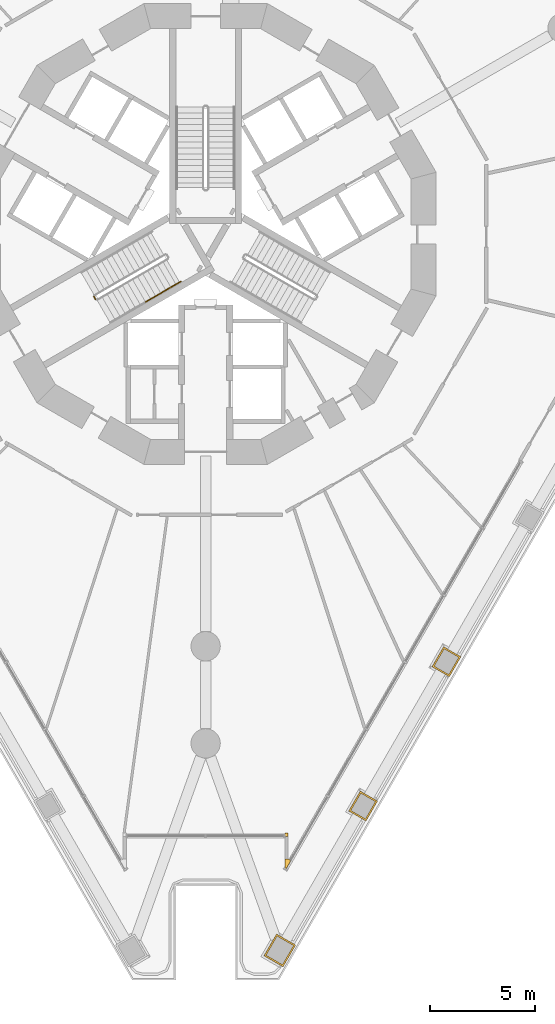
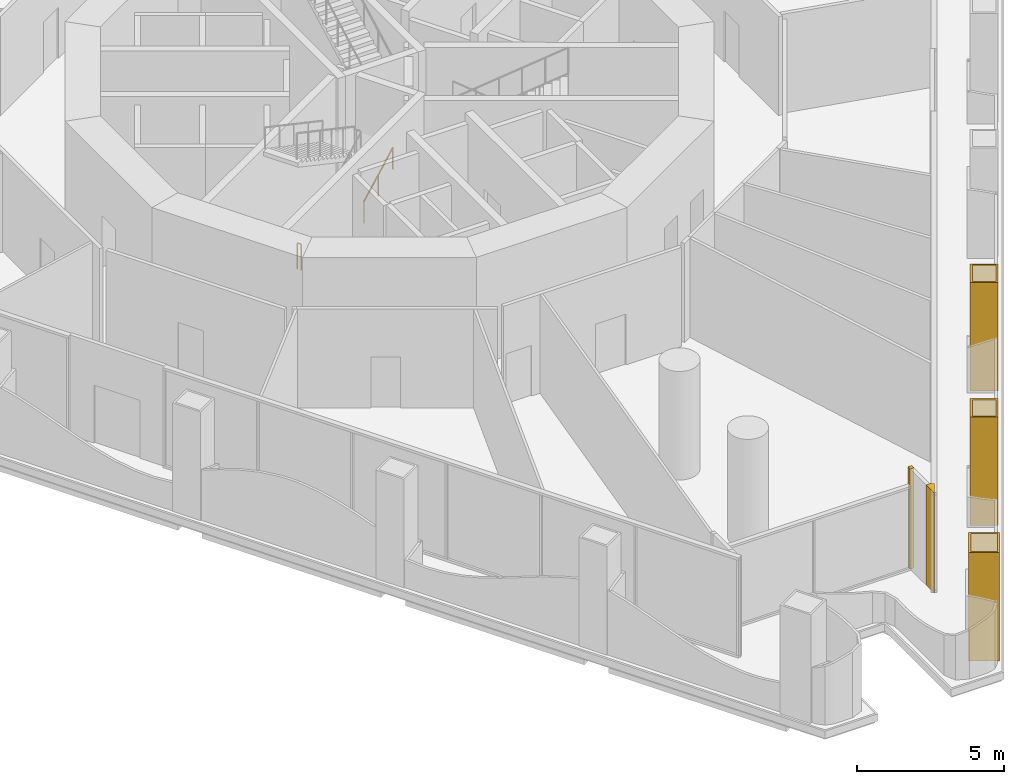
# One storey, part 16 of 21: 5 coverings, 2 railings.
"""IFC4 building model written with IfcOpenShell, lengths in metres."""

from ifc_helpers import new_model, si_unit, direction, frame, origin, origin_2d, place, context, subcontext, project, spatial, polyline, circle, outline, extrude, material, layer, layer_set, type_object, element, save


model = new_model("IFC4")

# Units and contexts
model_context = context("Model", 3, precision=1e-05, world=origin(), true_north=direction((0.0, 1.0)))
body_context = subcontext(model_context, "Body", "Model", "MODEL_VIEW")
ifc_project = project(units=[si_unit("LENGTHUNIT", "METRE"), si_unit("AREAUNIT", "SQUARE_METRE"), si_unit("VOLUMEUNIT", "CUBIC_METRE"), si_unit("PLANEANGLEUNIT", "RADIAN"), si_unit("MASSUNIT", "GRAM", prefix="KILO")], contexts=[model_context])

# Site, building, storey
site_placement = place(None, origin())
site = spatial("IfcSite", under=ifc_project, at=site_placement, CompositionType="ELEMENT")
building_placement = place(site_placement, origin())
building = spatial("IfcBuilding", under=site, at=building_placement, Name="Trine Commons Tower", CompositionType="ELEMENT")
storey_placement = place(building_placement, frame((0.0, 0.0, 9.0)))
storey = spatial("IfcBuildingStorey", under=building, at=storey_placement, Name="L01", CompositionType="ELEMENT", Elevation=9.0)

# Coverings
ifc_material_1 = material(Name="Aluminium-framed insulated wall panel", Category="aluminium")
ifc_layer_1 = layer(ifc_material_1, 0.14990234375)
ifc_layer_set_1 = layer_set([ifc_layer_1], Name="Aluminium-framed insulated wall panel")
covering_type_1 = type_object("IfcCoveringType", Name="Glazing corner post, aluminium", PredefinedType="CLADDING", material=ifc_layer_set_1)
covering_1_placement = place(storey_placement, origin())
element("IfcCovering", 1, at=covering_1_placement, inside=storey, type_object=covering_type_1, Name="Glazing corner post 1-09", PredefinedType="CLADDING", context=body_context, shape_type="SweptSolid", body=[
    extrude(outline(polyline([(83.7900390625, 32.635009765625), (83.7900390625, 32.0751953125), (84.06982421875, 32.56005859375), (83.93994140625, 32.635009765625), (83.93994140625, 32.635009765625), (83.7900390625, 32.635009765625)])), origin(), (0.0, 0.0, 1.0), 4.14990234375),
])
covering_2_placement = place(storey_placement, origin())
element("IfcCovering", 2, at=covering_2_placement, inside=storey, type_object=covering_type_1, Name="Glazing corner post 1-10", PredefinedType="CLADDING", context=body_context, shape_type="SweptSolid", body=[
    extrude(outline(polyline([(83.93994140625, 33.720703125), (83.93994140625, 33.870849609375), (83.7900390625, 33.870849609375), (83.7900390625, 33.720703125), (83.93994140625, 33.720703125)])), origin(), (0.0, 0.0, 1.0), 4.14990234375),
])
ifc_material_2 = material(Name="Limestone, honed", Category="masonry")
ifc_layer_2 = layer(ifc_material_2, 0.074951171875)
ifc_layer_set_2 = layer_set([ifc_layer_2], Name="Limestone, honed")
covering_type_2 = type_object("IfcCoveringType", Name="Limestone column cladding 75", PredefinedType="CLADDING", material=ifc_layer_set_2)
covering_3_placement = place(storey_placement, origin())
element("IfcCovering", 3, at=covering_3_placement, inside=storey, type_object=covering_type_2, Name="Limestone pier cladding 1-22", PredefinedType="CLADDING", context=body_context, shape_type="SweptSolid", body=[
    extrude(outline(polyline([(92.1943359375, 42.3017578125), (91.37158203125, 42.77685546875), (90.821533203125, 41.82421875), (91.644287109375, 41.34912109375), (92.1943359375, 42.3017578125)]), holes=[polyline([(92.091796875, 42.2744140625), (91.39892578125, 42.67431640625), (90.924072265625, 41.8515625), (91.61669921875, 41.45166015625), (92.091796875, 42.2744140625)])]), origin(), (0.0, 0.0, 1.0), 4.5),
])
covering_4_placement = place(storey_placement, origin())
element("IfcCovering", 4, at=covering_4_placement, inside=storey, type_object=covering_type_2, Name="Limestone pier cladding 1-23", PredefinedType="CLADDING", context=body_context, shape_type="SweptSolid", body=[
    extrude(outline(polyline([(88.212646484375, 35.4052734375), (87.389892578125, 35.88037109375), (86.83984375, 34.927734375), (87.66259765625, 34.45263671875), (88.212646484375, 35.4052734375)]), holes=[polyline([(88.110107421875, 35.3779296875), (87.417236328125, 35.77783203125), (86.9423828125, 34.955078125), (87.635009765625, 34.55517578125), (88.110107421875, 35.3779296875)])]), origin(), (0.0, 0.0, 1.0), 4.5),
])
covering_5_placement = place(storey_placement, origin())
element("IfcCovering", 5, at=covering_5_placement, inside=storey, type_object=covering_type_2, Name="Limestone pier cladding 1-24", PredefinedType="CLADDING", context=body_context, shape_type="SweptSolid", body=[
    extrude(outline(polyline([(84.29931640625, 28.527099609375), (83.389892578125, 29.052001953125), (82.789794921875, 28.012939453125), (83.69921875, 27.48779296875), (84.29931640625, 28.527099609375)]), holes=[polyline([(84.19677734375, 28.499755859375), (83.417236328125, 28.94970703125), (82.892333984375, 28.040283203125), (83.671630859375, 27.59033203125), (84.19677734375, 28.499755859375)])]), origin(), (0.0, 0.0, 1.0), 4.5),
])

# Railings
ifc_material_3 = material(Name="Stainless steel balustrade", Category="steel")
railing_type_1 = type_object("IfcRailingType", Name="Stair guard, steel balustrade 1100", PredefinedType="GUARDRAIL", material=ifc_material_3)
railing_1_placement = place(storey_placement, frame((74.73681640625, 59.374755859375, 0.0)))
element("IfcRailing", 6, at=railing_1_placement, inside=storey, type_object=railing_type_1, Name="L01 ST2A stair guard 4", PredefinedType="GUARDRAIL", context=body_context, shape_type="SweptSolid", body=[
    extrude(circle(Radius=0.02392578125, at=origin_2d()), frame((0.0, 0.0, 1.076171875), z_axis=(-0.499816412211, 0.866131372301, 0.0), x_axis=(-0.866131372301, -0.499816412211, 0.0)), (0.0, 0.0, 1.0), 0.14990234375),
    extrude(circle(Radius=0.02099609375, at=origin_2d()), origin(), (0.0, 0.0, 1.0), 1.052001953125),
    extrude(circle(Radius=0.02099609375, at=origin_2d()), frame((-0.074951171875, 0.1298828125, 0.0)), (0.0, 0.0, 1.0), 1.052001953125),
])
ifc_material_4 = material(Name="Stainless steel handrail", Category="steel")
railing_type_2 = type_object("IfcRailingType", Name="Stair handrail, steel 900", PredefinedType="HANDRAIL", material=ifc_material_4)
railing_2_placement = place(storey_placement, frame((77.127685546875, 59.25390625, 1.199951171875)))
element("IfcRailing", 7, at=railing_2_placement, inside=storey, type_object=railing_type_2, Name="L01 ST2A stair handrail 2", PredefinedType="HANDRAIL", context=body_context, shape_type="SweptSolid", body=[
    extrude(circle(Radius=0.02099609375, at=origin_2d()), frame((0.0, 0.0, 0.87890625), z_axis=(0.763352030933, 0.440750151347, 0.472263677365), x_axis=(-0.500024377727, 0.866011328839, 0.0)), (0.0, 0.0, 1.0), 2.223388671875),
    extrude(circle(Radius=0.01513671875, at=origin_2d()), origin(), (0.0, 0.0, 1.0), 0.85791015625),
    extrude(circle(Radius=0.01513671875, at=origin_2d()), frame((0.8486328125, 0.489990234375, 0.52490234375)), (0.0, 0.0, 1.0), 0.85791015625),
    extrude(circle(Radius=0.01513671875, at=origin_2d()), frame((1.697265625, 0.97998046875, 1.050048828125)), (0.0, 0.0, 1.0), 0.85791015625),
])

save(model, "model.ifc")
